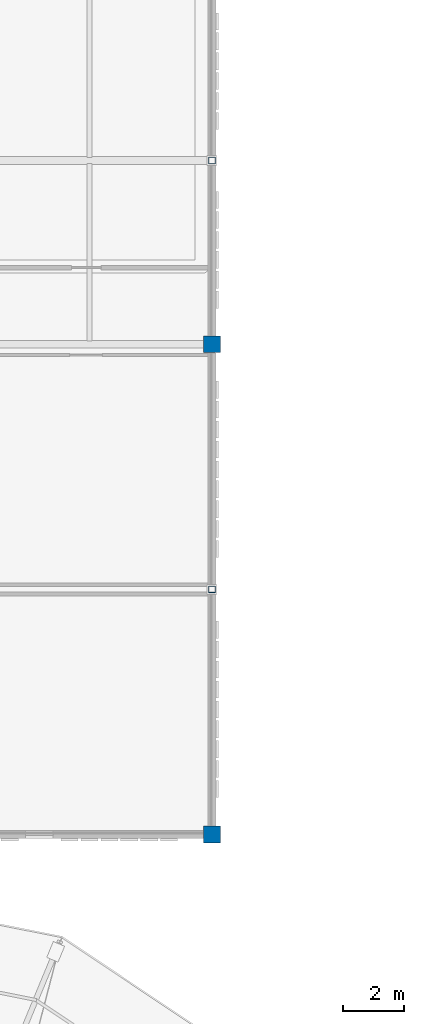
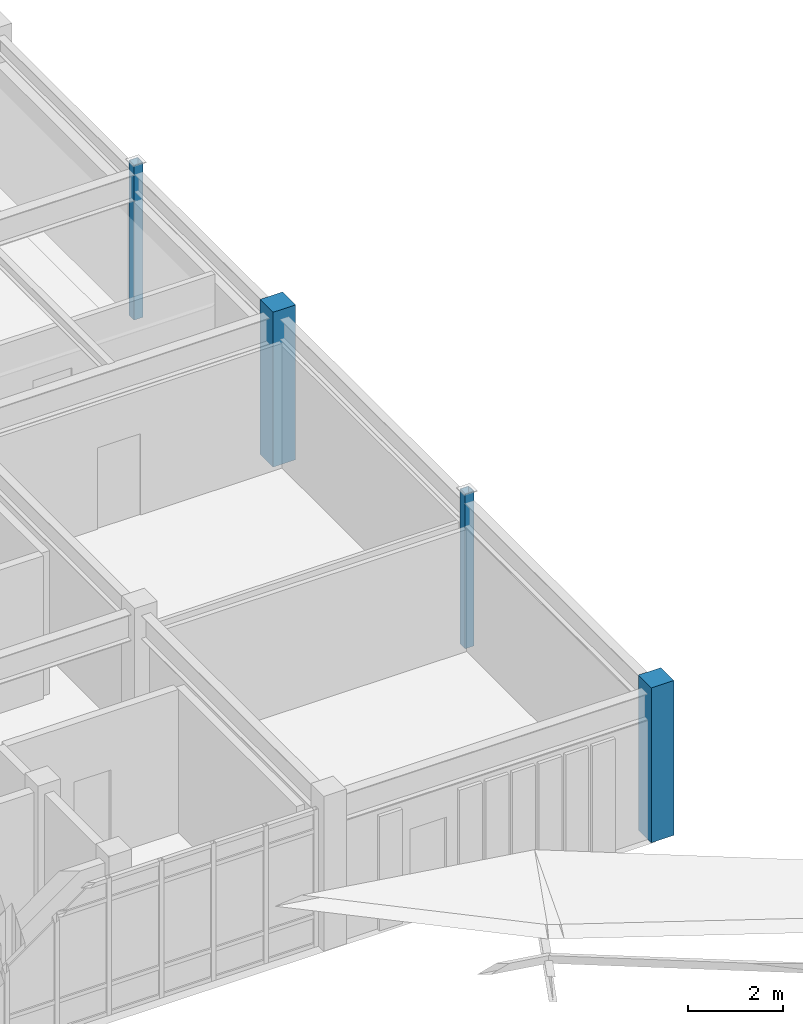
# One storey, part 3 of 31: 4 columns.
"""IFC4 building model written with IfcOpenShell, lengths in metres."""

import ifcopenshell
import ifcopenshell.guid

model = None  # the IFC model being written
_history = None  # IfcOwnerHistory: only IFC2X3 demands one
_inside = {}  # id of a spatial element -> (the spatial element, [elements in it])
_under = {}  # id of a project, library or spatial element -> (it, [spatial elements below it])
_declared = {}  # id of a project -> (the project, [libraries it declares])
_typed = {}  # id of a type object -> (the type object, [elements of that type])
_made_of = {}  # id of a material, layer set ... -> (it, [elements and type objects made of it])


def new_model(schema):
    """Start an empty IFC model of exactly this schema.

    Asked for "IFC4X3", IfcOpenShell would pick the latest addendum, in which some entities
    have other attributes; the version numbers below select the first issue.
    IFC2X3 requires an IfcOwnerHistory on every rooted entity: one is made here for all.
    """
    global model, _history
    if schema == "IFC4X3":
        model = ifcopenshell.file(schema_version=(4, 3, 0, 0))
    else:
        model = ifcopenshell.file(schema=schema)
    _inside.clear()
    _under.clear()
    _declared.clear()
    _typed.clear()
    _made_of.clear()
    _history = None
    if model.schema == "IFC2X3":
        org = make("IfcOrganization", Name="unknown")
        user = make(
            "IfcPersonAndOrganization",
            ThePerson=make("IfcPerson", FamilyName="unknown"),
            TheOrganization=org,
        )
        app = make(
            "IfcApplication",
            ApplicationDeveloper=org,
            Version="unknown",
            ApplicationFullName="unknown",
            ApplicationIdentifier="unknown",
        )
        _history = make(
            "IfcOwnerHistory",
            OwningUser=user,
            OwningApplication=app,
            ChangeAction="ADDED",
            CreationDate=0,
        )
    return model


def make(cls, **values):
    """One entity of the class cls with the attributes given. An attribute that is None is left unset."""
    return model.create_entity(
        cls, **{name: value for name, value in values.items() if value is not None}
    )


def rooted(cls, **values):
    """An entity with a GlobalId (a new one), such as an element, a storey or a relation."""
    return make(cls, GlobalId=ifcopenshell.guid.new(), OwnerHistory=_history, **values)


def si_unit(unit_type, name, prefix=None):
    """IfcSIUnit, for example si_unit("LENGTHUNIT", "METRE", prefix="MILLI")."""
    return make("IfcSIUnit", UnitType=unit_type, Prefix=prefix, Name=name)


def assignment(units):
    """IfcUnitAssignment: the units of a project."""
    return None if units is None else make("IfcUnitAssignment", Units=units)


def point(xyz):
    """IfcCartesianPoint."""
    return None if xyz is None else make("IfcCartesianPoint", Coordinates=xyz)


def direction(xyz):
    """IfcDirection."""
    return None if xyz is None else make("IfcDirection", DirectionRatios=xyz)


def frame(location, z_axis=None, x_axis=None):
    """IfcAxis2Placement3D, a coordinate frame: its origin and axes. An axis left out is left unset."""
    return make(
        "IfcAxis2Placement3D",
        Location=point(location),
        Axis=direction(z_axis),
        RefDirection=direction(x_axis),
    )


def frame_2d(location, x_axis=None):
    """IfcAxis2Placement2D, a coordinate frame in the plane: its origin and x axis."""
    return make(
        "IfcAxis2Placement2D", Location=point(location), RefDirection=direction(x_axis)
    )


def origin():
    """The frame at (0, 0, 0) with its axes left unset."""
    return frame((0.0, 0.0, 0.0))


def origin_2d():
    """The frame at (0, 0) in the plane with its x axis left unset."""
    return frame_2d((0.0, 0.0))


def place(relative_to, where):
    """IfcLocalPlacement: puts the frame where relative to a parent placement (None: the world)."""
    return make(
        "IfcLocalPlacement", PlacementRelTo=relative_to, RelativePlacement=where
    )


def context(
    kind, dimensions, precision=None, world=None, true_north=None, identifier=None
):
    """IfcGeometricRepresentationContext, for example the 3D "Model" context."""
    return make(
        "IfcGeometricRepresentationContext",
        ContextIdentifier=identifier,
        ContextType=kind,
        CoordinateSpaceDimension=dimensions,
        Precision=precision,
        WorldCoordinateSystem=world,
        TrueNorth=true_north,
    )


def subcontext(parent, identifier, kind, view, scale=None):
    """IfcGeometricRepresentationSubContext, for example "Body" below "Model"."""
    return make(
        "IfcGeometricRepresentationSubContext",
        ContextIdentifier=identifier,
        ContextType=kind,
        ParentContext=parent,
        TargetScale=scale,
        TargetView=view,
    )


def project(units=None, contexts=None):
    """IfcProject with its units and contexts."""
    return rooted(
        "IfcProject",
        Name="project",
        RepresentationContexts=contexts,
        UnitsInContext=assignment(units),
    )


def spatial(cls, under=None, at=None, **own):
    """A site, building, storey or space (cls), placed at a placement, below another one or the project."""
    s = rooted(cls, ObjectPlacement=at, **own)
    if under is not None:
        _under.setdefault(under.id(), (under, []))[1].append(s)
    return s


def profile(cls, at=None, kind="AREA", **sizes):
    """A parametric profile (cls). Its sizes go by their IFC names, for example OverallWidth=200.0."""
    return make(cls, ProfileType=kind, Position=at, **sizes)


def rectangle(**sizes):
    """IfcRectangleProfileDef."""
    return profile("IfcRectangleProfileDef", **sizes)


def hollow_rectangle(**sizes):
    """IfcRectangleHollowProfileDef."""
    return profile("IfcRectangleHollowProfileDef", **sizes)


def extrude(swept, where, along, depth):
    """IfcExtrudedAreaSolid: the profile swept, set in the frame where, extruded along a direction by depth."""
    return make(
        "IfcExtrudedAreaSolid",
        SweptArea=swept,
        Position=where,
        ExtrudedDirection=direction(along),
        Depth=depth,
    )


def shape(context_of_items, identifier, shape_type, items):
    """IfcShapeRepresentation: the items that make up one representation, for example the "Body"."""
    return make(
        "IfcShapeRepresentation",
        ContextOfItems=context_of_items,
        RepresentationIdentifier=identifier,
        RepresentationType=shape_type,
        Items=items,
    )


def material(Name=None, Category=None):
    """IfcMaterial."""
    return make("IfcMaterial", Name=Name, Category=Category)


def material_profile(
    of_material, cross_section, Name=None, Category=None, Priority=None
):
    """IfcMaterialProfile: a cross section and its material."""
    return make(
        "IfcMaterialProfile",
        Name=Name,
        Material=of_material,
        Profile=cross_section,
        Priority=Priority,
        Category=Category,
    )


def profile_set(profiles, Name=None, composite=None):
    """IfcMaterialProfileSet."""
    return make(
        "IfcMaterialProfileSet",
        Name=Name,
        MaterialProfiles=profiles,
        CompositeProfile=composite,
    )


def made_of(thing, what):
    """Note that an element or type object is made of a material, layer set ...; save() writes the relation."""
    if what is not None:
        _made_of.setdefault(what.id(), (what, []))[1].append(thing)
    return thing


def type_object(cls, material=None, **own):
    """A type object (cls), such as IfcWallType, which elements share."""
    return made_of(rooted(cls, **own), material)


def element(
    cls,
    number,
    at=None,
    inside=None,
    cuts=None,
    type_object=None,
    material=None,
    context=None,
    identifier="Body",
    shape_type=None,
    held_by="IfcProductDefinitionShape",
    body=None,
    shapes=None,
    **own,
):
    """One element of the class cls, such as IfcWall. Its Tag is "e" and its number.

    at: its placement. inside: the storey or other place that contains it. cuts: it is an
    opening in that element (IfcRelVoidsElement). A single representation is given by context,
    identifier, shape_type and body (its items); several are given by shapes. held_by: the class
    of the entity that holds the representations. save() writes the other relations.
    """
    e = rooted(cls, Tag="e%d" % number, ObjectPlacement=at, **own)
    if body is not None:
        shapes = [shape(context, identifier, shape_type, body)]
    if shapes is not None:
        e.Representation = make(held_by, Representations=shapes)
    if inside is not None:
        _inside.setdefault(inside.id(), (inside, []))[1].append(e)
    if cuts is not None:
        rooted(
            "IfcRelVoidsElement", RelatingBuildingElement=cuts, RelatedOpeningElement=e
        )
    if type_object is not None:
        _typed.setdefault(type_object.id(), (type_object, []))[1].append(e)
    return made_of(e, material)


def aggregate(whole, parts):
    """IfcRelAggregates: a whole, such as a stair, and the parts it consists of."""
    return rooted("IfcRelAggregates", RelatingObject=whole, RelatedObjects=parts)


def save(model, path):
    """Write the relations noted so far, then the file.

    IfcRelAggregates (storeys below a building ...), IfcRelContainedInSpatialStructure (elements
    in a storey), IfcRelDefinesByType, IfcRelAssociatesMaterial and IfcRelDeclares: one each for
    every whole, place, type object, material and project.
    """
    for whole, parts in _under.values():
        aggregate(whole, parts)
    for where, things in _inside.values():
        rooted(
            "IfcRelContainedInSpatialStructure",
            RelatedElements=things,
            RelatingStructure=where,
        )
    for kind, things in _typed.values():
        rooted("IfcRelDefinesByType", RelatedObjects=things, RelatingType=kind)
    for what, things in _made_of.values():
        rooted("IfcRelAssociatesMaterial", RelatedObjects=things, RelatingMaterial=what)
    for by, libraries in _declared.values():
        rooted("IfcRelDeclares", RelatingContext=by, RelatedDefinitions=libraries)
    model.write(path)


model = new_model("IFC4")

# Units and contexts
model_context = context("Model", 3, precision=1e-05, world=origin(), true_north=direction((0.0, 1.0)))
body_context = subcontext(model_context, "Body", "Model", "MODEL_VIEW")
ifc_project = project(units=[si_unit("LENGTHUNIT", "METRE"), si_unit("AREAUNIT", "SQUARE_METRE"), si_unit("VOLUMEUNIT", "CUBIC_METRE"), si_unit("PLANEANGLEUNIT", "RADIAN"), si_unit("MASSUNIT", "GRAM", prefix="KILO")], contexts=[model_context])

# Site, building, storey
site_placement = place(None, origin())
site = spatial("IfcSite", under=ifc_project, at=site_placement, CompositionType="ELEMENT")
building_placement = place(site_placement, origin())
building = spatial("IfcBuilding", under=site, at=building_placement, Name="Celadon Cloister-Ring School", CompositionType="ELEMENT")
storey_placement = place(building_placement, frame((0.0, 0.0, 16.5)))
storey = spatial("IfcBuildingStorey", under=building, at=storey_placement, Name="L04", CompositionType="ELEMENT", Elevation=16.5)

# Columns
ifc_material_1 = material(Name="Concrete C40/50", Category="concrete")
ifc_material_profile_1 = material_profile(ifc_material_1, rectangle(XDim=0.550048828125, YDim=0.550048828125, at=origin_2d()), Name="RC550X550")
ifc_profile_set_1 = profile_set([ifc_material_profile_1], Name="Concrete C40/50")
column_type_1 = type_object("IfcColumnType", Name="CT-24", PredefinedType="COLUMN", material=ifc_profile_set_1)
for number, where, z_axis, x_axis, name in (
    (1, (32.0, 40.0, 0.0), (0.0, 0.0, 1.0), (1.0, 0.0, 0.0), "Column 1152"),
    (2, (32.0, 56.0, 0.0), (0.0, 0.0, 1.0), (1.0, 0.0, 0.0), "Column 1162"),
):
    element("IfcColumn", number, at=place(storey_placement, frame(where, z_axis=z_axis, x_axis=x_axis)), inside=storey, type_object=column_type_1, Name=name, PredefinedType="COLUMN", context=body_context, shape_type="SweptSolid", body=[
        extrude(rectangle(XDim=0.550048828125, YDim=0.550048828125, at=origin_2d()), origin(), (0.0, 0.0, 1.0), 4.0),
    ])
ifc_material_2 = material(Name="Structural steel S355JR", Category="steel")
ifc_material_profile_2 = material_profile(ifc_material_2, hollow_rectangle(XDim=0.219970703125, YDim=0.219970703125, WallThickness=0.010009765625, at=origin_2d()), Name="HSS220X220X10")
ifc_profile_set_2 = profile_set([ifc_material_profile_2], Name="Structural steel S355JR")
column_type_2 = type_object("IfcColumnType", Name="CT-26", PredefinedType="COLUMN", material=ifc_profile_set_2)
for number, where, z_axis, x_axis, name in (
    (3, (32.0, 48.0, 0.0), (0.0, 0.0, 1.0), (1.0, 0.0, 0.0), "Column 1157"),
    (4, (32.0, 62.0, 0.0), (0.0, 0.0, 1.0), (1.0, 0.0, 0.0), "Column 1167"),
):
    element("IfcColumn", number, at=place(storey_placement, frame(where, z_axis=z_axis, x_axis=x_axis)), inside=storey, type_object=column_type_2, Name=name, PredefinedType="COLUMN", context=body_context, shape_type="SweptSolid", body=[
        extrude(hollow_rectangle(XDim=0.219970703125, YDim=0.219970703125, WallThickness=0.010009765625, at=origin_2d()), origin(), (0.0, 0.0, 1.0), 4.0),
    ])

save(model, "model.ifc")
